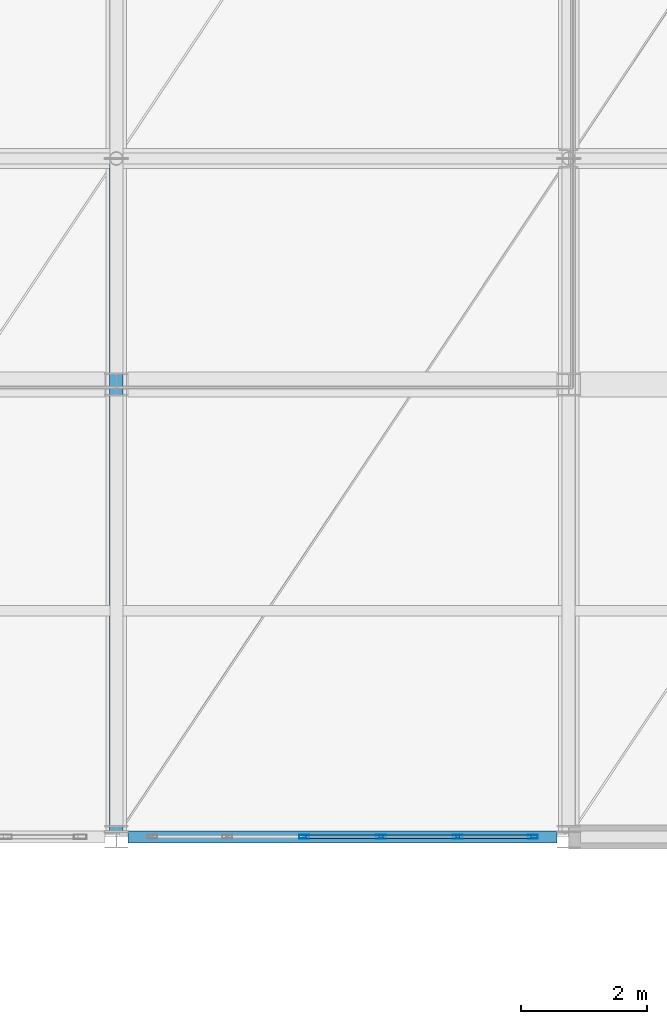
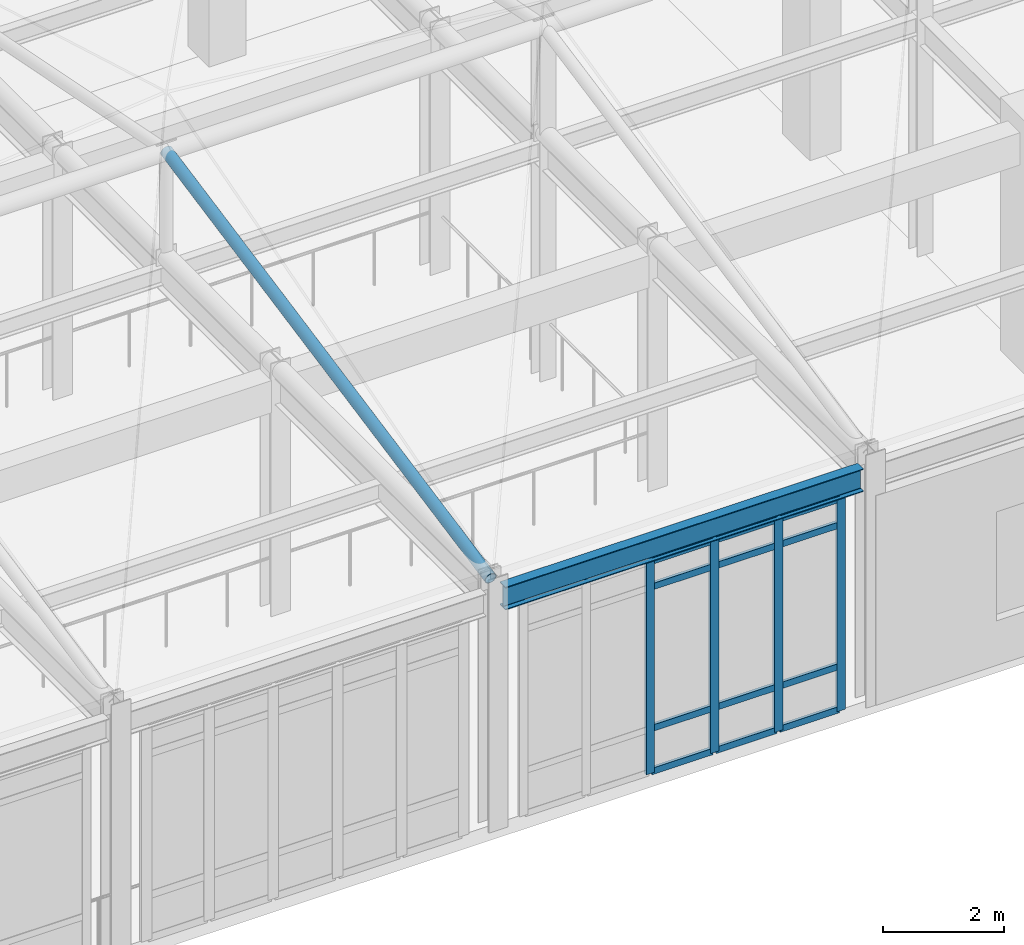
# One storey, part 43 of 117: 17 members, 1 beam, 1 element without a shape of its own.
"""IFC4 building model written with IfcOpenShell, lengths in metres."""

from ifc_helpers import new_model, si_unit, direction, frame, origin, origin_2d, place, context, subcontext, project, spatial, hollow_rectangle, hollow_circle, i_section, extrude, material, layer, layer_set, material_profile, profile_set, type_object, element, aggregate, save


model = new_model("IFC4")

# Units and contexts
model_context = context("Model", 3, precision=1e-05, world=origin(), true_north=direction((0.0, 1.0)))
body_context = subcontext(model_context, "Body", "Model", "MODEL_VIEW")
ifc_project = project(units=[si_unit("LENGTHUNIT", "METRE"), si_unit("AREAUNIT", "SQUARE_METRE"), si_unit("VOLUMEUNIT", "CUBIC_METRE"), si_unit("PLANEANGLEUNIT", "RADIAN"), si_unit("MASSUNIT", "GRAM", prefix="KILO")], contexts=[model_context])

# Site, building, storey
site_placement = place(None, origin())
site = spatial("IfcSite", under=ifc_project, at=site_placement, CompositionType="ELEMENT")
building_placement = place(site_placement, origin())
building = spatial("IfcBuilding", under=site, at=building_placement, Name="Carrowvane Square Congress Hotel", CompositionType="ELEMENT")
storey_placement = place(building_placement, frame((0.0, 0.0, 5.39990234375)))
storey = spatial("IfcBuildingStorey", under=building, at=storey_placement, Name="L01", CompositionType="ELEMENT", Elevation=5.39990234375)

# Beam
ifc_material_1 = material(Name="Steel S355", Category="steel")
ifc_material_profile_1 = material_profile(ifc_material_1, i_section(OverallWidth=0.19140625, OverallDepth=0.4599609375, WebThickness=0.010009765625, FlangeThickness=0.01611328125, FilletRadius=0.01025390625, at=origin_2d()), Name="UKB 457x191x82")
ifc_profile_set_1 = profile_set([ifc_material_profile_1], Name="Steel S355")
beam_type = type_object("IfcBeamType", Name="BM-ST-UKB457", PredefinedType="SPANDREL", material=ifc_profile_set_1)
beam_placement = place(storey_placement, frame((112.585205078125, 70.199951171875, 4.550048828125), z_axis=(1.0, 0.0, 0.0), x_axis=(0.0, 1.0, 0.0)))
element("IfcBeam", 1, at=beam_placement, inside=storey, type_object=beam_type, Name="L02 girder K/15-16", PredefinedType="SPANDREL", context=body_context, shape_type="SweptSolid", body=[
    extrude(i_section(OverallWidth=0.19140625, OverallDepth=0.4599609375, WebThickness=0.010009765625, FlangeThickness=0.01611328125, FilletRadius=0.01025390625, at=origin_2d()), origin(), (0.0, 0.0, 1.0), 6.82958984375),
])

# Curtain wall, members
ifc_material_2 = material(Name="Anodised aluminium", Category="aluminium")
ifc_layer = layer(ifc_material_2, 0.23388671875)
ifc_layer_set = layer_set([ifc_layer], Name="Anodised aluminium")
curtain_wall_type = type_object("IfcCurtainWallType", Name="CW-SYS-7", PredefinedType="NOTDEFINED", material=ifc_layer_set)
curtain_wall_placement = place(storey_placement, origin())
curtain_wall = element("IfcCurtainWall", 2, at=curtain_wall_placement, inside=storey, type_object=curtain_wall_type, Name="L01 unitised curtain wall 118", PredefinedType="NOTDEFINED")
ifc_material_3 = material(Name="Anodised aluminium", Category="aluminium")
ifc_material_profile_2 = material_profile(ifc_material_3, hollow_rectangle(XDim=0.06005859375, YDim=0.159912109375, WallThickness=0.00390625, at=origin_2d()), Name="CW-ML 60x160x4")
ifc_profile_set_2 = profile_set([ifc_material_profile_2], Name="Anodised aluminium")
member_type_1 = type_object("IfcMemberType", Name="CW-MUL-1", PredefinedType="MULLION", material=ifc_profile_set_2)
member_1_placement = place(storey_placement, frame((119.030029296875, 70.199951171875, 0.0), z_axis=(0.0, 0.0, 1.0), x_axis=(0.0, -1.0, 0.0)))
member_1 = element("IfcMember", 3, at=member_1_placement, type_object=member_type_1, Name="CW-7 mullion 1", PredefinedType="MULLION", context=body_context, shape_type="SweptSolid", body=[
    extrude(hollow_rectangle(XDim=0.06005859375, YDim=0.159912109375, WallThickness=0.00390625, at=origin_2d()), origin(), (0.0, 0.0, 1.0), 4.30517578125),
])
member_2_placement = place(storey_placement, frame((117.8359375, 70.199951171875, 0.0), z_axis=(0.0, 0.0, 1.0), x_axis=(0.0, -1.0, 0.0)))
member_2 = element("IfcMember", 4, at=member_2_placement, type_object=member_type_1, Name="CW-7 mullion 2", PredefinedType="MULLION", context=body_context, shape_type="SweptSolid", body=[
    extrude(hollow_rectangle(XDim=0.06005859375, YDim=0.159912109375, WallThickness=0.00390625, at=origin_2d()), origin(), (0.0, 0.0, 1.0), 4.30517578125),
])
member_3_placement = place(storey_placement, frame((116.612060546875, 70.199951171875, 0.0), z_axis=(0.0, 0.0, 1.0), x_axis=(0.0, -1.0, 0.0)))
member_3 = element("IfcMember", 5, at=member_3_placement, type_object=member_type_1, Name="CW-7 mullion 3", PredefinedType="MULLION", context=body_context, shape_type="SweptSolid", body=[
    extrude(hollow_rectangle(XDim=0.06005859375, YDim=0.159912109375, WallThickness=0.00390625, at=origin_2d()), origin(), (0.0, 0.0, 1.0), 4.30517578125),
])
member_4_placement = place(storey_placement, frame((115.387939453125, 70.199951171875, 0.0), z_axis=(0.0, 0.0, 1.0), x_axis=(0.0, -1.0, 0.0)))
member_4 = element("IfcMember", 6, at=member_4_placement, type_object=member_type_1, Name="CW-7 mullion 4", PredefinedType="MULLION", context=body_context, shape_type="SweptSolid", body=[
    extrude(hollow_rectangle(XDim=0.06005859375, YDim=0.159912109375, WallThickness=0.00390625, at=origin_2d()), origin(), (0.0, 0.0, 1.0), 4.30517578125),
])
ifc_material_4 = material(Name="Anodised aluminium", Category="aluminium")
ifc_material_profile_3 = material_profile(ifc_material_4, hollow_rectangle(XDim=0.06005859375, YDim=0.1298828125, WallThickness=0.00390625, at=origin_2d()), Name="CW-TR 60x130x4")
ifc_profile_set_3 = profile_set([ifc_material_profile_3], Name="Anodised aluminium")
member_type_2 = type_object("IfcMemberType", Name="CW-TRN-1", PredefinedType="USERDEFINED", material=ifc_profile_set_3)
member_5_placement = place(storey_placement, frame((119.0, 70.199951171875, 0.030029296875), z_axis=(-1.0, 0.0, 0.0), x_axis=(0.0, -1.0, 0.0)))
member_5 = element("IfcMember", 7, at=member_5_placement, type_object=member_type_2, Name="CW-7 transom 1.1", ObjectType="TRANSOM", PredefinedType="USERDEFINED", context=body_context, shape_type="SweptSolid", body=[
    extrude(hollow_rectangle(XDim=0.06005859375, YDim=0.1298828125, WallThickness=0.00390625, at=origin_2d()), origin(), (0.0, 0.0, 1.0), 1.134033203125),
])
member_6_placement = place(storey_placement, frame((119.0, 70.199951171875, 0.900146484375), z_axis=(-1.0, 0.0, 0.0), x_axis=(0.0, -1.0, 0.0)))
member_6 = element("IfcMember", 8, at=member_6_placement, type_object=member_type_2, Name="CW-7 transom 1.2", ObjectType="TRANSOM", PredefinedType="USERDEFINED", context=body_context, shape_type="SweptSolid", body=[
    extrude(hollow_rectangle(XDim=0.06005859375, YDim=0.1298828125, WallThickness=0.00390625, at=origin_2d()), origin(), (0.0, 0.0, 1.0), 1.134033203125),
])
member_7_placement = place(storey_placement, frame((119.0, 70.199951171875, 3.755126953125), z_axis=(-1.0, 0.0, 0.0), x_axis=(0.0, -1.0, 0.0)))
member_7 = element("IfcMember", 9, at=member_7_placement, type_object=member_type_2, Name="CW-7 transom 1.3", ObjectType="TRANSOM", PredefinedType="USERDEFINED", context=body_context, shape_type="SweptSolid", body=[
    extrude(hollow_rectangle(XDim=0.06005859375, YDim=0.1298828125, WallThickness=0.00390625, at=origin_2d()), origin(), (0.0, 0.0, 1.0), 1.134033203125),
])
member_8_placement = place(storey_placement, frame((119.0, 70.199951171875, 4.275146484375), z_axis=(-1.0, 0.0, 0.0), x_axis=(0.0, -1.0, 0.0)))
member_8 = element("IfcMember", 10, at=member_8_placement, type_object=member_type_2, Name="CW-7 transom 1.4", ObjectType="TRANSOM", PredefinedType="USERDEFINED", context=body_context, shape_type="SweptSolid", body=[
    extrude(hollow_rectangle(XDim=0.06005859375, YDim=0.1298828125, WallThickness=0.00390625, at=origin_2d()), origin(), (0.0, 0.0, 1.0), 1.134033203125),
])
member_9_placement = place(storey_placement, frame((117.805908203125, 70.199951171875, 0.030029296875), z_axis=(-1.0, 0.0, 0.0), x_axis=(0.0, -1.0, 0.0)))
member_9 = element("IfcMember", 11, at=member_9_placement, type_object=member_type_2, Name="CW-7 transom 2.1", ObjectType="TRANSOM", PredefinedType="USERDEFINED", context=body_context, shape_type="SweptSolid", body=[
    extrude(hollow_rectangle(XDim=0.06005859375, YDim=0.1298828125, WallThickness=0.00390625, at=origin_2d()), origin(), (0.0, 0.0, 1.0), 1.163818359375),
])
member_10_placement = place(storey_placement, frame((117.805908203125, 70.199951171875, 0.900146484375), z_axis=(-1.0, 0.0, 0.0), x_axis=(0.0, -1.0, 0.0)))
member_10 = element("IfcMember", 12, at=member_10_placement, type_object=member_type_2, Name="CW-7 transom 2.2", ObjectType="TRANSOM", PredefinedType="USERDEFINED", context=body_context, shape_type="SweptSolid", body=[
    extrude(hollow_rectangle(XDim=0.06005859375, YDim=0.1298828125, WallThickness=0.00390625, at=origin_2d()), origin(), (0.0, 0.0, 1.0), 1.163818359375),
])
member_11_placement = place(storey_placement, frame((117.805908203125, 70.199951171875, 3.755126953125), z_axis=(-1.0, 0.0, 0.0), x_axis=(0.0, -1.0, 0.0)))
member_11 = element("IfcMember", 13, at=member_11_placement, type_object=member_type_2, Name="CW-7 transom 2.3", ObjectType="TRANSOM", PredefinedType="USERDEFINED", context=body_context, shape_type="SweptSolid", body=[
    extrude(hollow_rectangle(XDim=0.06005859375, YDim=0.1298828125, WallThickness=0.00390625, at=origin_2d()), origin(), (0.0, 0.0, 1.0), 1.163818359375),
])
member_12_placement = place(storey_placement, frame((117.805908203125, 70.199951171875, 4.275146484375), z_axis=(-1.0, 0.0, 0.0), x_axis=(0.0, -1.0, 0.0)))
member_12 = element("IfcMember", 14, at=member_12_placement, type_object=member_type_2, Name="CW-7 transom 2.4", ObjectType="TRANSOM", PredefinedType="USERDEFINED", context=body_context, shape_type="SweptSolid", body=[
    extrude(hollow_rectangle(XDim=0.06005859375, YDim=0.1298828125, WallThickness=0.00390625, at=origin_2d()), origin(), (0.0, 0.0, 1.0), 1.163818359375),
])
member_13_placement = place(storey_placement, frame((116.58203125, 70.199951171875, 0.030029296875), z_axis=(-1.0, 0.0, 0.0), x_axis=(0.0, -1.0, 0.0)))
member_13 = element("IfcMember", 15, at=member_13_placement, type_object=member_type_2, Name="CW-7 transom 3.1", ObjectType="TRANSOM", PredefinedType="USERDEFINED", context=body_context, shape_type="SweptSolid", body=[
    extrude(hollow_rectangle(XDim=0.06005859375, YDim=0.1298828125, WallThickness=0.00390625, at=origin_2d()), origin(), (0.0, 0.0, 1.0), 1.1640625),
])
member_14_placement = place(storey_placement, frame((116.58203125, 70.199951171875, 0.900146484375), z_axis=(-1.0, 0.0, 0.0), x_axis=(0.0, -1.0, 0.0)))
member_14 = element("IfcMember", 16, at=member_14_placement, type_object=member_type_2, Name="CW-7 transom 3.2", ObjectType="TRANSOM", PredefinedType="USERDEFINED", context=body_context, shape_type="SweptSolid", body=[
    extrude(hollow_rectangle(XDim=0.06005859375, YDim=0.1298828125, WallThickness=0.00390625, at=origin_2d()), origin(), (0.0, 0.0, 1.0), 1.1640625),
])
member_15_placement = place(storey_placement, frame((116.58203125, 70.199951171875, 3.755126953125), z_axis=(-1.0, 0.0, 0.0), x_axis=(0.0, -1.0, 0.0)))
member_15 = element("IfcMember", 17, at=member_15_placement, type_object=member_type_2, Name="CW-7 transom 3.3", ObjectType="TRANSOM", PredefinedType="USERDEFINED", context=body_context, shape_type="SweptSolid", body=[
    extrude(hollow_rectangle(XDim=0.06005859375, YDim=0.1298828125, WallThickness=0.00390625, at=origin_2d()), origin(), (0.0, 0.0, 1.0), 1.1640625),
])
member_16_placement = place(storey_placement, frame((116.58203125, 70.199951171875, 4.275146484375), z_axis=(-1.0, 0.0, 0.0), x_axis=(0.0, -1.0, 0.0)))
member_16 = element("IfcMember", 18, at=member_16_placement, type_object=member_type_2, Name="CW-7 transom 3.4", ObjectType="TRANSOM", PredefinedType="USERDEFINED", context=body_context, shape_type="SweptSolid", body=[
    extrude(hollow_rectangle(XDim=0.06005859375, YDim=0.1298828125, WallThickness=0.00390625, at=origin_2d()), origin(), (0.0, 0.0, 1.0), 1.1640625),
])
aggregate(curtain_wall, [member_1, member_2, member_3, member_4, member_5, member_6, member_7, member_8, member_9, member_10, member_11, member_12, member_13, member_14, member_15, member_16])

# Member
ifc_material_5 = material(Name="Steel S355", Category="steel")
ifc_material_profile_4 = material_profile(ifc_material_5, hollow_circle(Radius=0.109619140625, WallThickness=0.012451171875, at=origin_2d()), Name="CHS 219.1x12.5")
ifc_profile_set_4 = profile_set([ifc_material_profile_4], Name="Steel S355")
member_type_3 = type_object("IfcMemberType", Name="MEM-ST-CHS219", PredefinedType="STRUT", material=ifc_profile_set_4)
member_17_placement = place(storey_placement, frame((112.39990234375, 70.280029296875, 4.920166015625), z_axis=(0.0, 0.980904965039, 0.19448765915), x_axis=(-1.0, 0.0, 0.0)))
element("IfcMember", 19, at=member_17_placement, inside=storey, type_object=member_type_3, Name="Public passage canopy strut S-6", PredefinedType="STRUT", context=body_context, shape_type="SweptSolid", body=[
    extrude(hollow_circle(Radius=0.109619140625, WallThickness=0.012451171875, at=origin_2d()), origin(), (0.0, 0.0, 1.0), 10.9287109375),
])

save(model, "model.ifc")
